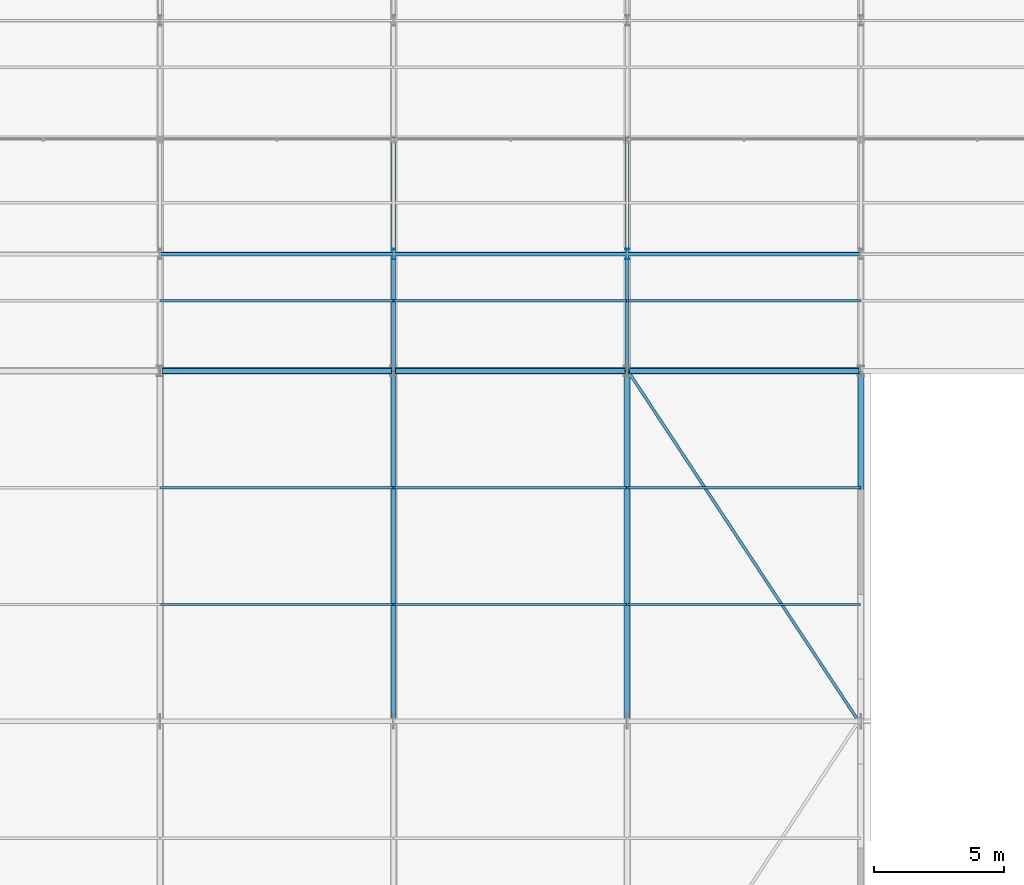
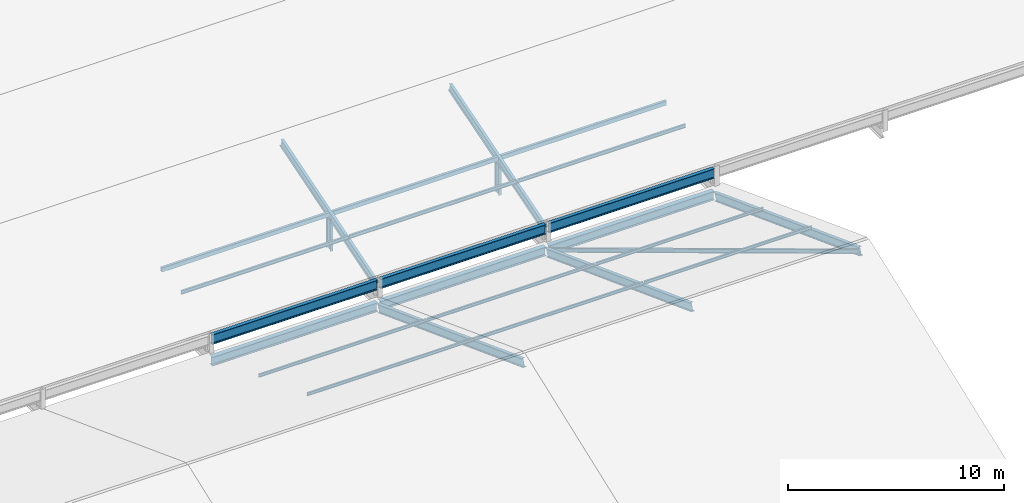
# One storey, part 60 of 163: 20 members, 6 beams.
"""IFC4 building model written with IfcOpenShell, lengths in metres."""

from ifc_helpers import new_model, si_unit, direction, frame, origin, origin_2d, place, context, subcontext, project, spatial, hollow_rectangle, i_section, extrude, material, material_profile, profile_set, type_object, element, save


model = new_model("IFC4")

# Units and contexts
model_context = context("Model", 3, precision=1e-05, world=origin(), true_north=direction((0.0, 1.0)))
body_context = subcontext(model_context, "Body", "Model", "MODEL_VIEW")
ifc_project = project(units=[si_unit("LENGTHUNIT", "METRE"), si_unit("AREAUNIT", "SQUARE_METRE"), si_unit("VOLUMEUNIT", "CUBIC_METRE"), si_unit("PLANEANGLEUNIT", "RADIAN"), si_unit("MASSUNIT", "GRAM", prefix="KILO")], contexts=[model_context])

# Site, building, storey
site_placement = place(None, origin())
site = spatial("IfcSite", under=ifc_project, at=site_placement, CompositionType="ELEMENT")
building_placement = place(site_placement, origin())
building = spatial("IfcBuilding", under=site, at=building_placement, Name="Tharagai Park Tramway Depot", CompositionType="ELEMENT")
storey_placement = place(building_placement, frame((0.0, 0.0, 8.39990234375)))
storey = spatial("IfcBuildingStorey", under=building, at=storey_placement, Name="L02", CompositionType="ELEMENT", Elevation=8.39990234375)

# Beams
ifc_material_1 = material(Name="Steel E350", Category="steel")
ifc_material_profile_1 = material_profile(ifc_material_1, i_section(OverallWidth=0.25, OverallDepth=0.5, WebThickness=0.010009765625, FlangeThickness=0.0146484375, FilletRadius=0.014892578125, at=origin_2d()), Name="ISWB 500")
ifc_profile_set_1 = profile_set([ifc_material_profile_1], Name="Steel E350")
beam_type_1 = type_object("IfcBeamType", Name="BM-08", PredefinedType="BEAM", material=ifc_profile_set_1)
for number, where, z_axis, x_axis, name in (
    (1, (63.080078125, 90.0, -0.5), (1.0, 0.0, 0.0), (0.0, 1.0, 0.0), "V2B Roof Eave Girder BM-08"),
    (2, (72.080078125, 90.0, -0.5), (1.0, 0.0, 0.0), (0.0, 1.0, 0.0), "V2B Roof Eave Girder BM-08"),
    (3, (81.080078125, 90.0, -0.5), (1.0, 0.0, 0.0), (0.0, 1.0, 0.0), "V2B Roof Eave Girder BM-08"),
):
    element("IfcBeam", number, at=place(storey_placement, frame(where, z_axis=z_axis, x_axis=x_axis)), inside=storey, type_object=beam_type_1, Name=name, PredefinedType="BEAM", context=body_context, shape_type="SweptSolid", body=[
        extrude(i_section(OverallWidth=0.25, OverallDepth=0.5, WebThickness=0.010009765625, FlangeThickness=0.0146484375, FilletRadius=0.014892578125, at=origin_2d()), origin(), (0.0, 0.0, 1.0), 8.83984375),
    ])
ifc_material_profile_2 = material_profile(ifc_material_1, i_section(OverallWidth=0.18994140625, OverallDepth=0.550048828125, WebThickness=0.01123046875, FlangeThickness=0.019287109375, FilletRadius=0.01806640625, at=origin_2d()), Name="ISMB 550")
ifc_profile_set_2 = profile_set([ifc_material_profile_2], Name="Steel E350")
beam_type_2 = type_object("IfcBeamType", Name="BM-09", PredefinedType="BEAM", material=ifc_profile_set_2)
for number, where, z_axis, x_axis, name in (
    (4, (63.080078125, 90.0, 0.72509765625), (1.0, 0.0, 0.0), (0.0, 1.0, 0.0), "Sawtooth Valley Girder BM-09"),
    (5, (72.080078125, 90.0, 0.72509765625), (1.0, 0.0, 0.0), (0.0, 1.0, 0.0), "Sawtooth Valley Girder BM-09"),
    (6, (81.080078125, 90.0, 0.72509765625), (1.0, 0.0, 0.0), (0.0, 1.0, 0.0), "Sawtooth Valley Girder BM-09"),
):
    element("IfcBeam", number, at=place(storey_placement, frame(where, z_axis=z_axis, x_axis=x_axis)), inside=storey, type_object=beam_type_2, Name=name, PredefinedType="BEAM", context=body_context, shape_type="SweptSolid", body=[
        extrude(i_section(OverallWidth=0.18994140625, OverallDepth=0.550048828125, WebThickness=0.01123046875, FlangeThickness=0.019287109375, FilletRadius=0.01806640625, at=origin_2d()), origin(), (0.0, 0.0, 1.0), 8.83984375),
    ])

# Members
ifc_material_profile_3 = material_profile(ifc_material_1, i_section(OverallWidth=0.110107421875, OverallDepth=0.22509765625, WebThickness=0.006591796875, FlangeThickness=0.01171875, FilletRadius=0.011962890625, at=origin_2d()), Name="ISMB 225")
ifc_profile_set_3 = profile_set([ifc_material_profile_3], Name="Steel E350")
member_type_1 = type_object("IfcMemberType", Name="BR-04", PredefinedType="BRACE", material=ifc_profile_set_3)
member_placement = place(storey_placement, frame((81.080078125, 89.919921875, -0.5), z_axis=(0.525522954926, -0.797805617167, 0.295519578139), x_axis=(0.83510413753, 0.550091882762, 0.0)))
element("IfcMember", 7, at=member_placement, inside=storey, type_object=member_type_1, Name="V2B Roof Wind Brace BR-04", PredefinedType="BRACE", context=body_context, shape_type="SweptSolid", body=[
    extrude(i_section(OverallWidth=0.110107421875, OverallDepth=0.22509765625, WebThickness=0.006591796875, FlangeThickness=0.01171875, FilletRadius=0.011962890625, at=origin_2d()), origin(), (0.0, 0.0, 1.0), 16.821044921875),
])
ifc_material_2 = material(Name="Steel E250", Category="steel")
ifc_material_profile_4 = material_profile(ifc_material_2, i_section(OverallWidth=0.090087890625, OverallDepth=0.175048828125, WebThickness=0.005615234375, FlangeThickness=0.009033203125, FilletRadius=0.010009765625, at=origin_2d()), Name="ISMB 175")
ifc_profile_set_4 = profile_set([ifc_material_profile_4], Name="Steel E250")
member_type_2 = type_object("IfcMemberType", Name="PR-01", PredefinedType="PURLIN", material=ifc_profile_set_4)
for number, where, z_axis, x_axis, name in (
    (8, (63.02001953125, 85.5, 1.398681640625), (1.0, 0.0, 0.0), (0.0, 1.0, 0.0), "V2B Roof Purlin PR-01"),
    (9, (63.02001953125, 81.0, 3.0810546875), (1.0, 0.0, 0.0), (0.0, 1.0, 0.0), "V2B Roof Purlin PR-01"),
    (10, (72.02001953125, 85.5, 1.398681640625), (1.0, 0.0, 0.0), (0.0, 1.0, 0.0), "V2B Roof Purlin PR-01"),
    (11, (72.02001953125, 81.0, 3.0810546875), (1.0, 0.0, 0.0), (0.0, 1.0, 0.0), "V2B Roof Purlin PR-01"),
    (12, (81.02001953125, 85.5, 1.398681640625), (1.0, 0.0, 0.0), (0.0, 1.0, 0.0), "V2B Roof Purlin PR-01"),
    (13, (81.02001953125, 81.0, 3.0810546875), (1.0, 0.0, 0.0), (0.0, 1.0, 0.0), "V2B Roof Purlin PR-01"),
):
    element("IfcMember", number, at=place(storey_placement, frame(where, z_axis=z_axis, x_axis=x_axis)), inside=storey, type_object=member_type_2, Name=name, PredefinedType="PURLIN", context=body_context, shape_type="SweptSolid", body=[
        extrude(i_section(OverallWidth=0.090087890625, OverallDepth=0.175048828125, WebThickness=0.005615234375, FlangeThickness=0.009033203125, FilletRadius=0.010009765625, at=origin_2d()), origin(), (0.0, 0.0, 1.0), 8.9599609375),
    ])
ifc_material_profile_5 = material_profile(ifc_material_2, i_section(OverallWidth=0.10009765625, OverallDepth=0.199951171875, WebThickness=0.005615234375, FlangeThickness=0.0107421875, FilletRadius=0.010986328125, at=origin_2d()), Name="ISMB 200")
ifc_profile_set_5 = profile_set([ifc_material_profile_5], Name="Steel E250")
member_type_3 = type_object("IfcMemberType", Name="PR-04", PredefinedType="PURLIN", material=ifc_profile_set_5)
for number, where, z_axis, x_axis, name in (
    (14, (63.02001953125, 92.699951171875, 1.733154296875), (1.0, 0.0, 0.0), (0.0, 1.0, 0.0), "Sawtooth Roof Purlin PR-04"),
    (15, (72.02001953125, 92.699951171875, 1.733154296875), (1.0, 0.0, 0.0), (0.0, 1.0, 0.0), "Sawtooth Roof Purlin PR-04"),
    (16, (81.02001953125, 92.699951171875, 1.733154296875), (1.0, 0.0, 0.0), (0.0, 1.0, 0.0), "Sawtooth Roof Purlin PR-04"),
):
    element("IfcMember", number, at=place(storey_placement, frame(where, z_axis=z_axis, x_axis=x_axis)), inside=storey, type_object=member_type_3, Name=name, PredefinedType="PURLIN", context=body_context, shape_type="SweptSolid", body=[
        extrude(i_section(OverallWidth=0.10009765625, OverallDepth=0.199951171875, WebThickness=0.005615234375, FlangeThickness=0.0107421875, FilletRadius=0.010986328125, at=origin_2d()), origin(), (0.0, 0.0, 1.0), 8.9599609375),
    ])
ifc_material_profile_6 = material_profile(ifc_material_1, i_section(OverallWidth=0.199951171875, OverallDepth=0.449951171875, WebThickness=0.00927734375, FlangeThickness=0.015380859375, FilletRadius=0.014892578125, at=origin_2d()), Name="ISWB 450")
ifc_profile_set_6 = profile_set([ifc_material_profile_6], Name="Steel E350")
member_type_4 = type_object("IfcMemberType", Name="RF-03", PredefinedType="RAFTER", material=ifc_profile_set_6)
for number, where, z_axis, x_axis, name in (
    (17, (72.0, 76.5, 4.446044921875), (0.0, 0.936246041069, -0.35134505914), (-1.0, 0.0, 0.0), "V2B Pitched Rafter RF-03 North"),
    (18, (81.0, 76.5, 4.446044921875), (0.0, 0.936246041069, -0.35134505914), (-1.0, 0.0, 0.0), "V2B Pitched Rafter RF-03 North"),
    (19, (90.0, 76.5, 4.446044921875), (0.0, 0.936246041069, -0.35134505914), (-1.0, 0.0, 0.0), "V2B Pitched Rafter RF-03 North"),
):
    element("IfcMember", number, at=place(storey_placement, frame(where, z_axis=z_axis, x_axis=x_axis)), inside=storey, type_object=member_type_4, Name=name, PredefinedType="RAFTER", context=body_context, shape_type="SweptSolid", body=[
        extrude(i_section(OverallWidth=0.199951171875, OverallDepth=0.449951171875, WebThickness=0.00927734375, FlangeThickness=0.015380859375, FilletRadius=0.014892578125, at=origin_2d()), origin(), (0.0, 0.0, 1.0), 14.36572265625),
    ])
ifc_material_profile_7 = material_profile(ifc_material_1, hollow_rectangle(XDim=0.14990234375, YDim=0.25, WallThickness=0.008056640625, InnerFilletRadius=0.008056640625, OuterFilletRadius=0.01611328125, at=origin_2d()), Name="RHS 250x150x8")
ifc_profile_set_7 = profile_set([ifc_material_profile_7], Name="Steel E350")
member_type_5 = type_object("IfcMemberType", Name="TC-02", PredefinedType="CHORD", material=ifc_profile_set_7)
for number, where, z_axis, x_axis, name in (
    (20, (63.02001953125, 94.5, 1.946533203125), (1.0, 0.0, 0.0), (0.0, 1.0, 0.0), "Sawtooth Tubular Tie Strut TC-02"),
    (21, (72.02001953125, 94.5, 1.946533203125), (1.0, 0.0, 0.0), (0.0, 1.0, 0.0), "Sawtooth Tubular Tie Strut TC-02"),
    (22, (81.02001953125, 94.5, 1.946533203125), (1.0, 0.0, 0.0), (0.0, 1.0, 0.0), "Sawtooth Tubular Tie Strut TC-02"),
):
    element("IfcMember", number, at=place(storey_placement, frame(where, z_axis=z_axis, x_axis=x_axis)), inside=storey, type_object=member_type_5, Name=name, PredefinedType="CHORD", context=body_context, shape_type="SweptSolid", body=[
        extrude(hollow_rectangle(XDim=0.14990234375, YDim=0.25, WallThickness=0.008056640625, InnerFilletRadius=0.008056640625, OuterFilletRadius=0.01611328125, at=origin_2d()), origin(), (0.0, 0.0, 1.0), 8.9599609375),
    ])
ifc_material_profile_8 = material_profile(ifc_material_1, i_section(OverallWidth=0.14990234375, OverallDepth=0.449951171875, WebThickness=0.009521484375, FlangeThickness=0.017333984375, FilletRadius=0.014892578125, at=origin_2d()), Name="ISMB 450")
ifc_profile_set_8 = profile_set([ifc_material_profile_8], Name="Steel E350")
member_type_6 = type_object("IfcMemberType", Name="TC-05", PredefinedType="CHORD", material=ifc_profile_set_8)
for number, where, z_axis, x_axis, name in (
    (23, (72.0, 90.06005859375, 0.587890625), (0.0, 0.956231486327, 0.29261125159), (-1.0, 0.0, 0.0), "Sawtooth Top Chord TC-05"),
    (24, (81.0, 90.06005859375, 0.587890625), (0.0, 0.956231486327, 0.29261125159), (-1.0, 0.0, 0.0), "Sawtooth Top Chord TC-05"),
):
    element("IfcMember", number, at=place(storey_placement, frame(where, z_axis=z_axis, x_axis=x_axis)), inside=storey, type_object=member_type_6, Name=name, PredefinedType="CHORD", context=body_context, shape_type="SweptSolid", body=[
        extrude(i_section(OverallWidth=0.14990234375, OverallDepth=0.449951171875, WebThickness=0.009521484375, FlangeThickness=0.017333984375, FilletRadius=0.014892578125, at=origin_2d()), origin(), (0.0, 0.0, 1.0), 9.286376953125),
    ])
ifc_material_profile_9 = material_profile(ifc_material_1, i_section(OverallWidth=0.139892578125, OverallDepth=0.39990234375, WebThickness=0.0087890625, FlangeThickness=0.01611328125, FilletRadius=0.013916015625, at=origin_2d()), Name="ISMB 400")
ifc_profile_set_9 = profile_set([ifc_material_profile_9], Name="Steel E350")
member_type_7 = type_object("IfcMemberType", Name="TC-06", PredefinedType="CHORD", material=ifc_profile_set_9)
for number, where, z_axis, x_axis, name in (
    (25, (72.0, 94.5, -0.0498046875), (0.0, 0.0, 1.0), (1.0, 0.0, 0.0), "Sawtooth Mid-Tooth Strut TC-06"),
    (26, (81.0, 94.5, -0.0498046875), (0.0, 0.0, 1.0), (1.0, 0.0, 0.0), "Sawtooth Mid-Tooth Strut TC-06"),
):
    element("IfcMember", number, at=place(storey_placement, frame(where, z_axis=z_axis, x_axis=x_axis)), inside=storey, type_object=member_type_7, Name=name, PredefinedType="CHORD", context=body_context, shape_type="SweptSolid", body=[
        extrude(i_section(OverallWidth=0.139892578125, OverallDepth=0.39990234375, WebThickness=0.0087890625, FlangeThickness=0.01611328125, FilletRadius=0.013916015625, at=origin_2d()), origin(), (0.0, 0.0, 1.0), 1.846435546875),
    ])

save(model, "model.ifc")
